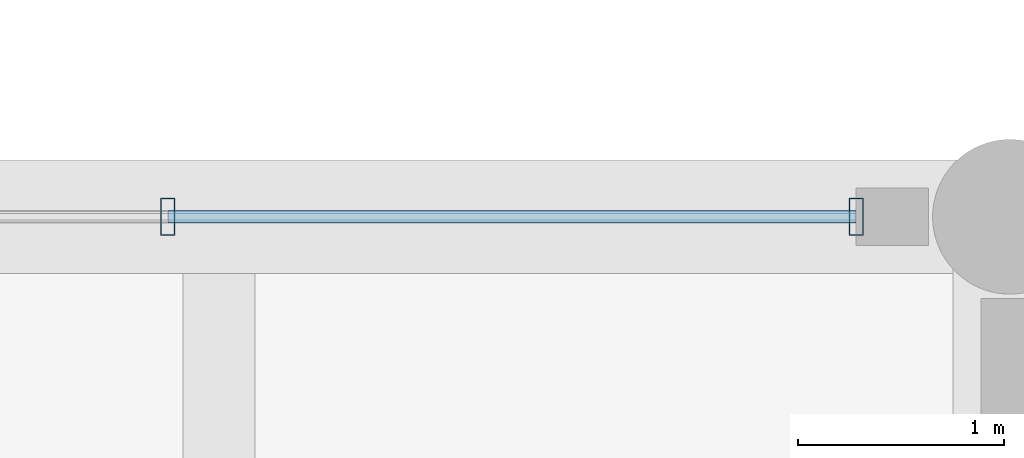
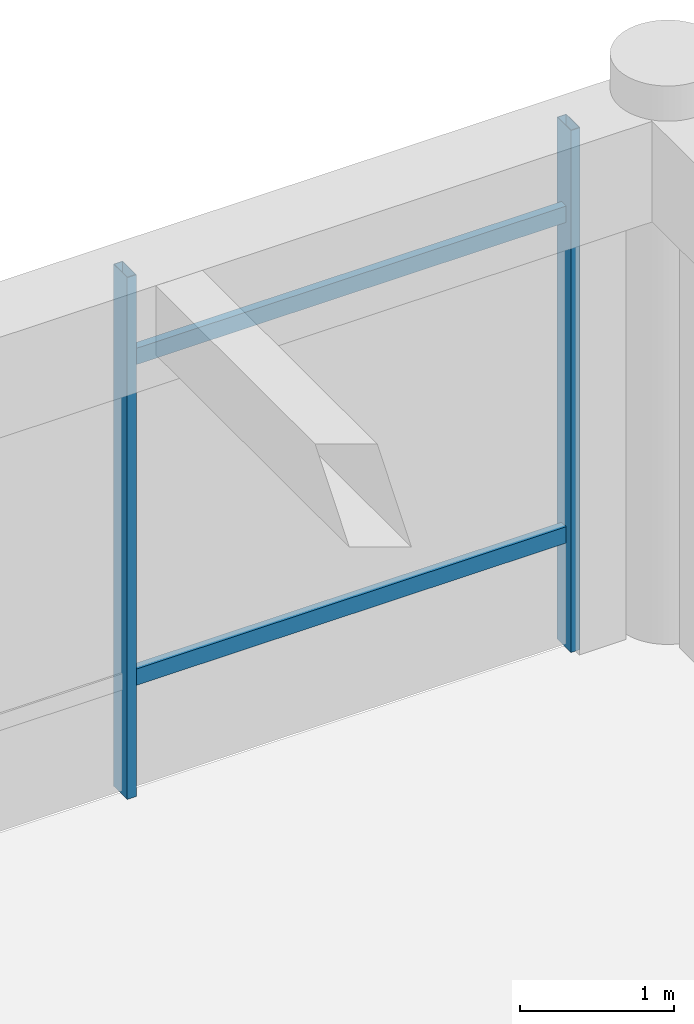
# One storey, part 20 of 27: 4 members, 1 element without a shape of its own.
"""IFC4 building model written with IfcOpenShell, lengths in metres."""

from ifc_helpers import new_model, si_unit, direction, frame, origin, origin_2d, place, context, subcontext, project, spatial, hollow_rectangle, extrude, material, material_profile, profile_set, type_object, element, aggregate, save


model = new_model("IFC4")

# Units and contexts
model_context = context("Model", 3, precision=1e-05, world=origin(), true_north=direction((0.0, 1.0)))
body_context = subcontext(model_context, "Body", "Model", "MODEL_VIEW")
ifc_project = project(units=[si_unit("LENGTHUNIT", "METRE"), si_unit("AREAUNIT", "SQUARE_METRE"), si_unit("VOLUMEUNIT", "CUBIC_METRE"), si_unit("PLANEANGLEUNIT", "RADIAN"), si_unit("MASSUNIT", "GRAM", prefix="KILO")], contexts=[model_context])

# Site, building, storey
site_placement = place(None, origin())
site = spatial("IfcSite", under=ifc_project, at=site_placement, CompositionType="ELEMENT")
building_placement = place(site_placement, origin())
building = spatial("IfcBuilding", under=site, at=building_placement, Name="Ologun Quay Terminus", CompositionType="ELEMENT")
storey_placement = place(building_placement, frame((0.0, 0.0, 22.4599609375)))
storey = spatial("IfcBuildingStorey", under=building, at=storey_placement, Name="L05", CompositionType="ELEMENT", Elevation=22.4599609375)

# Curtain wall, members
ifc_material_1 = material(Name="Aluminium 6063-T6", Category="aluminium")
curtain_wall_type = type_object("IfcCurtainWallType", Name="Operations Wing Canteen Curtain Wall L05 10600x4050", PredefinedType="USERDEFINED", material=ifc_material_1)
curtain_wall_placement = place(storey_placement, origin())
curtain_wall = element("IfcCurtainWall", 1, at=curtain_wall_placement, inside=storey, type_object=curtain_wall_type, Name="CW-28 Curtain Wall CW-L05-155", ObjectType="UNITISED CURTAIN WALL", PredefinedType="USERDEFINED")
ifc_material_2 = material(Name="Aluminium 6063-T6", Category="aluminium")
ifc_material_profile_1 = material_profile(ifc_material_2, hollow_rectangle(XDim=0.070068359375, YDim=0.179931640625, WallThickness=0.0048828125, at=origin_2d()), Name="ALU 180x70x5")
ifc_profile_set_1 = profile_set([ifc_material_profile_1], Name="Aluminium 6063-T6")
member_type_1 = type_object("IfcMemberType", Name="Curtain Wall Heavy Mullion 180x70", PredefinedType="MULLION", material=ifc_profile_set_1)
member_1_placement = place(storey_placement, frame((145.418212890625, 114.800048828125, 0.0), z_axis=(0.0, 0.0, 1.0), x_axis=(1.0, 0.0, 0.0)))
member_1 = element("IfcMember", 2, at=member_1_placement, type_object=member_type_1, Name="CW-L05-155 Mullion 3", PredefinedType="MULLION", context=body_context, shape_type="SweptSolid", body=[
    extrude(hollow_rectangle(XDim=0.070068359375, YDim=0.179931640625, WallThickness=0.0048828125, at=origin_2d()), origin(), (0.0, 0.0, 1.0), 4.150146484375),
])
member_2_placement = place(storey_placement, frame((148.7548828125, 114.800048828125, 0.0), z_axis=(0.0, 0.0, 1.0), x_axis=(1.0, 0.0, 0.0)))
member_2 = element("IfcMember", 3, at=member_2_placement, type_object=member_type_1, Name="CW-L05-155 Mullion 4", PredefinedType="MULLION", context=body_context, shape_type="SweptSolid", body=[
    extrude(hollow_rectangle(XDim=0.070068359375, YDim=0.179931640625, WallThickness=0.0048828125, at=origin_2d()), origin(), (0.0, 0.0, 1.0), 4.150146484375),
])
ifc_material_3 = material(Name="Aluminium 6063-T6", Category="aluminium")
ifc_material_profile_2 = material_profile(ifc_material_3, hollow_rectangle(XDim=0.06005859375, YDim=0.1298828125, WallThickness=0.00390625, at=origin_2d()), Name="ALU 130x60x4")
ifc_profile_set_2 = profile_set([ifc_material_profile_2], Name="Aluminium 6063-T6")
member_type_2 = type_object("IfcMemberType", Name="Curtain Wall Heavy Transom 130x60", PredefinedType="USERDEFINED", material=ifc_profile_set_2)
member_3_placement = place(storey_placement, frame((145.418212890625, 114.800048828125, 0.900146484375), z_axis=(1.0, 0.0, 0.0), x_axis=(0.0, 1.0, 0.0)))
member_3 = element("IfcMember", 4, at=member_3_placement, type_object=member_type_2, Name="CW-L05-155 Transom B3-1", ObjectType="TRANSOM", PredefinedType="USERDEFINED", context=body_context, shape_type="SweptSolid", body=[
    extrude(hollow_rectangle(XDim=0.06005859375, YDim=0.1298828125, WallThickness=0.00390625, at=origin_2d()), origin(), (0.0, 0.0, 1.0), 3.336669921875),
])
member_4_placement = place(storey_placement, frame((145.418212890625, 114.800048828125, 3.449951171875), z_axis=(1.0, 0.0, 0.0), x_axis=(0.0, 1.0, 0.0)))
member_4 = element("IfcMember", 5, at=member_4_placement, type_object=member_type_2, Name="CW-L05-155 Transom B3-2", ObjectType="TRANSOM", PredefinedType="USERDEFINED", context=body_context, shape_type="SweptSolid", body=[
    extrude(hollow_rectangle(XDim=0.06005859375, YDim=0.1298828125, WallThickness=0.00390625, at=origin_2d()), origin(), (0.0, 0.0, 1.0), 3.336669921875),
])
aggregate(curtain_wall, [member_1, member_2, member_3, member_4])

save(model, "model.ifc")
